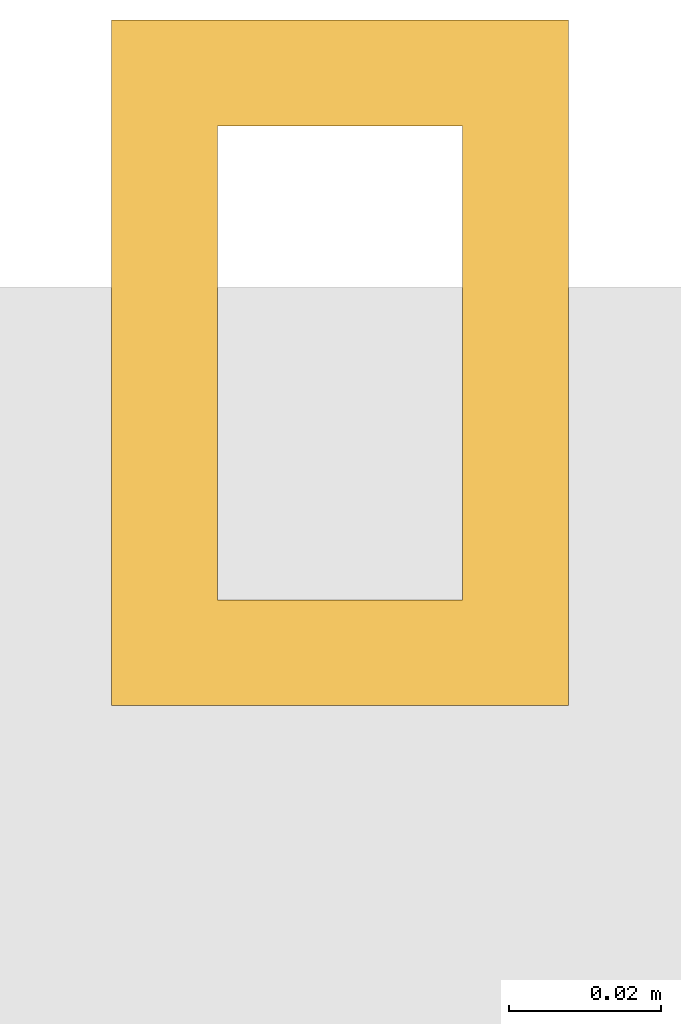
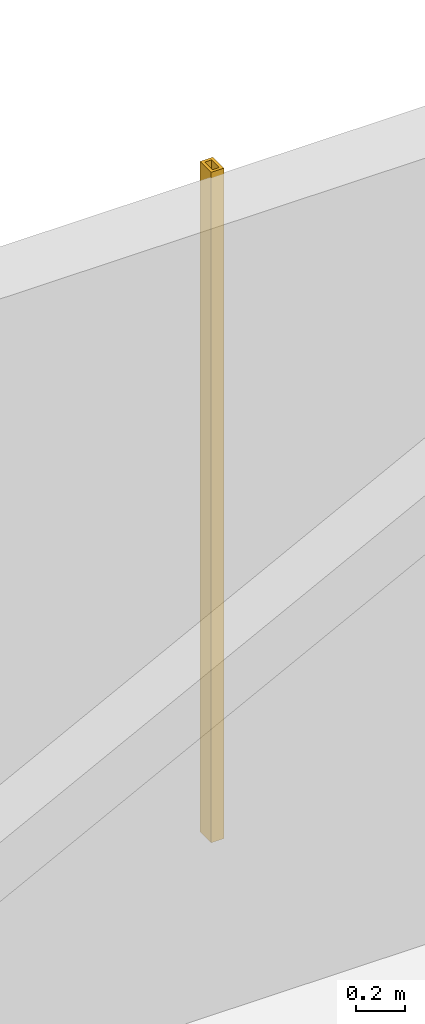
# One storey, part 25 of 25: 1 shading device.
"""IFC4 building model written with IfcOpenShell, lengths in metres."""

from ifc_helpers import new_model, si_unit, direction, frame, origin, origin_2d, place, context, subcontext, project, spatial, hollow_rectangle, extrude, material, material_profile, profile_set, type_object, element, save


model = new_model("IFC4")

# Units and contexts
model_context = context("Model", 3, precision=1e-05, world=origin(), true_north=direction((0.0, 1.0)))
body_context = subcontext(model_context, "Body", "Model", "MODEL_VIEW")
ifc_project = project(units=[si_unit("LENGTHUNIT", "METRE"), si_unit("AREAUNIT", "SQUARE_METRE"), si_unit("VOLUMEUNIT", "CUBIC_METRE"), si_unit("PLANEANGLEUNIT", "RADIAN"), si_unit("MASSUNIT", "GRAM", prefix="KILO")], contexts=[model_context])

# Site, building, storey
site_placement = place(None, origin())
site = spatial("IfcSite", under=ifc_project, at=site_placement, CompositionType="ELEMENT")
building_placement = place(site_placement, origin())
building = spatial("IfcBuilding", under=site, at=building_placement, Name="Punatoya Terracotta Tower", CompositionType="ELEMENT")
storey_placement = place(building_placement, frame((0.0, 0.0, 357.300048828125)))
storey = spatial("IfcBuildingStorey", under=building, at=storey_placement, Name="L84", CompositionType="ELEMENT", Elevation=357.300048828125)

# Shading device
ifc_material = material(Name="Architectural Fired Terracotta", Category="masonry")
ifc_material_profile = material_profile(ifc_material, hollow_rectangle(XDim=0.06005859375, YDim=0.090087890625, WallThickness=0.013916015625, at=origin_2d()))
ifc_profile_set = profile_set([ifc_material_profile], Name="Architectural Fired Terracotta")
shading_device_type = type_object("IfcShadingDeviceType", Name="SHD-JALI-90", PredefinedType="JALOUSIE", material=ifc_profile_set)
shading_device_placement = place(storey_placement, frame((0.0, 15.800048828125, 0.599853515625), z_axis=(0.0, 0.0, 1.0), x_axis=(1.0, 0.0, 0.0)))
element("IfcShadingDevice", 1, at=shading_device_placement, inside=storey, type_object=shading_device_type, Name="L84 Braced Bay Terracotta Jali Fin N1", PredefinedType="JALOUSIE", context=body_context, shape_type="SweptSolid", body=[
    extrude(hollow_rectangle(XDim=0.06005859375, YDim=0.090087890625, WallThickness=0.013916015625, at=origin_2d()), origin(), (0.0, 0.0, 1.0), 3.320068359375),
])

save(model, "model.ifc")
